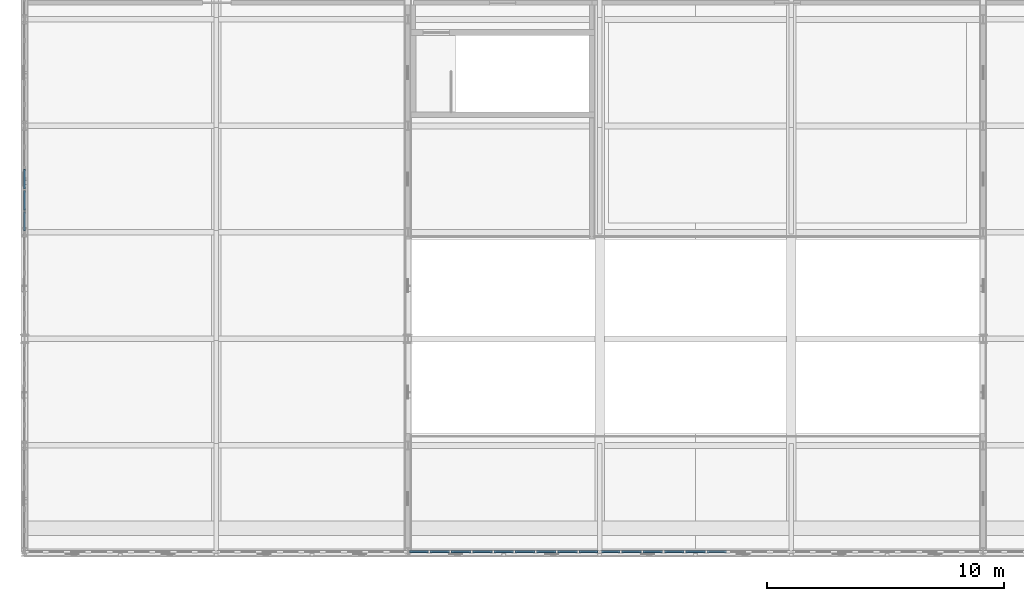
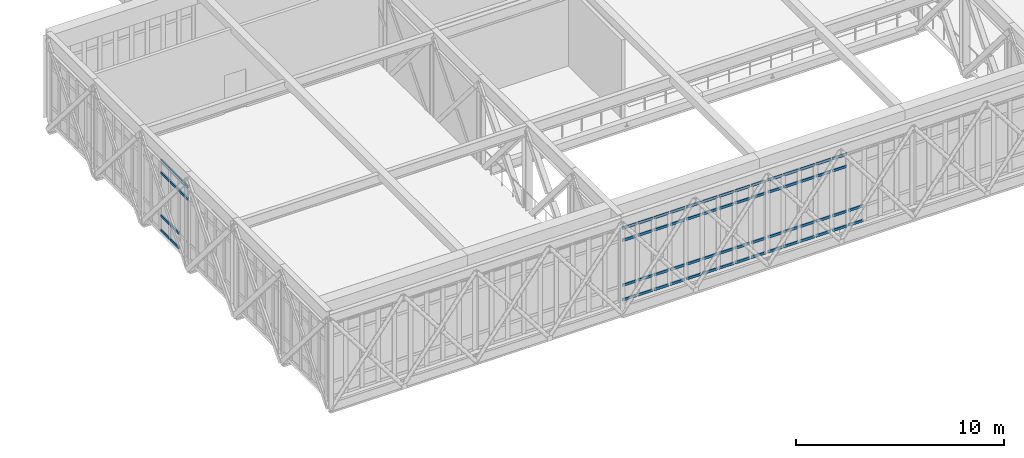
# One storey, part 29 of 70: 68 members, 3 elements without a shape of their own.
"""IFC4 building model written with IfcOpenShell, lengths in metres."""

import ifcopenshell
import ifcopenshell.guid

model = None  # the IFC model being written
_history = None  # IfcOwnerHistory: only IFC2X3 demands one
_inside = {}  # id of a spatial element -> (the spatial element, [elements in it])
_under = {}  # id of a project, library or spatial element -> (it, [spatial elements below it])
_declared = {}  # id of a project -> (the project, [libraries it declares])
_typed = {}  # id of a type object -> (the type object, [elements of that type])
_made_of = {}  # id of a material, layer set ... -> (it, [elements and type objects made of it])


def new_model(schema):
    """Start an empty IFC model of exactly this schema.

    Asked for "IFC4X3", IfcOpenShell would pick the latest addendum, in which some entities
    have other attributes; the version numbers below select the first issue.
    IFC2X3 requires an IfcOwnerHistory on every rooted entity: one is made here for all.
    """
    global model, _history
    if schema == "IFC4X3":
        model = ifcopenshell.file(schema_version=(4, 3, 0, 0))
    else:
        model = ifcopenshell.file(schema=schema)
    _inside.clear()
    _under.clear()
    _declared.clear()
    _typed.clear()
    _made_of.clear()
    _history = None
    if model.schema == "IFC2X3":
        org = make("IfcOrganization", Name="unknown")
        user = make(
            "IfcPersonAndOrganization",
            ThePerson=make("IfcPerson", FamilyName="unknown"),
            TheOrganization=org,
        )
        app = make(
            "IfcApplication",
            ApplicationDeveloper=org,
            Version="unknown",
            ApplicationFullName="unknown",
            ApplicationIdentifier="unknown",
        )
        _history = make(
            "IfcOwnerHistory",
            OwningUser=user,
            OwningApplication=app,
            ChangeAction="ADDED",
            CreationDate=0,
        )
    return model


def make(cls, **values):
    """One entity of the class cls with the attributes given. An attribute that is None is left unset."""
    return model.create_entity(
        cls, **{name: value for name, value in values.items() if value is not None}
    )


def rooted(cls, **values):
    """An entity with a GlobalId (a new one), such as an element, a storey or a relation."""
    return make(cls, GlobalId=ifcopenshell.guid.new(), OwnerHistory=_history, **values)


def si_unit(unit_type, name, prefix=None):
    """IfcSIUnit, for example si_unit("LENGTHUNIT", "METRE", prefix="MILLI")."""
    return make("IfcSIUnit", UnitType=unit_type, Prefix=prefix, Name=name)


def assignment(units):
    """IfcUnitAssignment: the units of a project."""
    return None if units is None else make("IfcUnitAssignment", Units=units)


def point(xyz):
    """IfcCartesianPoint."""
    return None if xyz is None else make("IfcCartesianPoint", Coordinates=xyz)


def direction(xyz):
    """IfcDirection."""
    return None if xyz is None else make("IfcDirection", DirectionRatios=xyz)


def frame(location, z_axis=None, x_axis=None):
    """IfcAxis2Placement3D, a coordinate frame: its origin and axes. An axis left out is left unset."""
    return make(
        "IfcAxis2Placement3D",
        Location=point(location),
        Axis=direction(z_axis),
        RefDirection=direction(x_axis),
    )


def frame_2d(location, x_axis=None):
    """IfcAxis2Placement2D, a coordinate frame in the plane: its origin and x axis."""
    return make(
        "IfcAxis2Placement2D", Location=point(location), RefDirection=direction(x_axis)
    )


def origin():
    """The frame at (0, 0, 0) with its axes left unset."""
    return frame((0.0, 0.0, 0.0))


def origin_2d():
    """The frame at (0, 0) in the plane with its x axis left unset."""
    return frame_2d((0.0, 0.0))


def place(relative_to, where):
    """IfcLocalPlacement: puts the frame where relative to a parent placement (None: the world)."""
    return make(
        "IfcLocalPlacement", PlacementRelTo=relative_to, RelativePlacement=where
    )


def context(
    kind, dimensions, precision=None, world=None, true_north=None, identifier=None
):
    """IfcGeometricRepresentationContext, for example the 3D "Model" context."""
    return make(
        "IfcGeometricRepresentationContext",
        ContextIdentifier=identifier,
        ContextType=kind,
        CoordinateSpaceDimension=dimensions,
        Precision=precision,
        WorldCoordinateSystem=world,
        TrueNorth=true_north,
    )


def subcontext(parent, identifier, kind, view, scale=None):
    """IfcGeometricRepresentationSubContext, for example "Body" below "Model"."""
    return make(
        "IfcGeometricRepresentationSubContext",
        ContextIdentifier=identifier,
        ContextType=kind,
        ParentContext=parent,
        TargetScale=scale,
        TargetView=view,
    )


def project(units=None, contexts=None):
    """IfcProject with its units and contexts."""
    return rooted(
        "IfcProject",
        Name="project",
        RepresentationContexts=contexts,
        UnitsInContext=assignment(units),
    )


def spatial(cls, under=None, at=None, **own):
    """A site, building, storey or space (cls), placed at a placement, below another one or the project."""
    s = rooted(cls, ObjectPlacement=at, **own)
    if under is not None:
        _under.setdefault(under.id(), (under, []))[1].append(s)
    return s


def profile(cls, at=None, kind="AREA", **sizes):
    """A parametric profile (cls). Its sizes go by their IFC names, for example OverallWidth=200.0."""
    return make(cls, ProfileType=kind, Position=at, **sizes)


def rectangle(**sizes):
    """IfcRectangleProfileDef."""
    return profile("IfcRectangleProfileDef", **sizes)


def extrude(swept, where, along, depth):
    """IfcExtrudedAreaSolid: the profile swept, set in the frame where, extruded along a direction by depth."""
    return make(
        "IfcExtrudedAreaSolid",
        SweptArea=swept,
        Position=where,
        ExtrudedDirection=direction(along),
        Depth=depth,
    )


def shape(context_of_items, identifier, shape_type, items):
    """IfcShapeRepresentation: the items that make up one representation, for example the "Body"."""
    return make(
        "IfcShapeRepresentation",
        ContextOfItems=context_of_items,
        RepresentationIdentifier=identifier,
        RepresentationType=shape_type,
        Items=items,
    )


def material(Name=None, Category=None):
    """IfcMaterial."""
    return make("IfcMaterial", Name=Name, Category=Category)


def material_profile(
    of_material, cross_section, Name=None, Category=None, Priority=None
):
    """IfcMaterialProfile: a cross section and its material."""
    return make(
        "IfcMaterialProfile",
        Name=Name,
        Material=of_material,
        Profile=cross_section,
        Priority=Priority,
        Category=Category,
    )


def profile_set(profiles, Name=None, composite=None):
    """IfcMaterialProfileSet."""
    return make(
        "IfcMaterialProfileSet",
        Name=Name,
        MaterialProfiles=profiles,
        CompositeProfile=composite,
    )


def made_of(thing, what):
    """Note that an element or type object is made of a material, layer set ...; save() writes the relation."""
    if what is not None:
        _made_of.setdefault(what.id(), (what, []))[1].append(thing)
    return thing


def type_object(cls, material=None, **own):
    """A type object (cls), such as IfcWallType, which elements share."""
    return made_of(rooted(cls, **own), material)


def element(
    cls,
    number,
    at=None,
    inside=None,
    cuts=None,
    type_object=None,
    material=None,
    context=None,
    identifier="Body",
    shape_type=None,
    held_by="IfcProductDefinitionShape",
    body=None,
    shapes=None,
    **own,
):
    """One element of the class cls, such as IfcWall. Its Tag is "e" and its number.

    at: its placement. inside: the storey or other place that contains it. cuts: it is an
    opening in that element (IfcRelVoidsElement). A single representation is given by context,
    identifier, shape_type and body (its items); several are given by shapes. held_by: the class
    of the entity that holds the representations. save() writes the other relations.
    """
    e = rooted(cls, Tag="e%d" % number, ObjectPlacement=at, **own)
    if body is not None:
        shapes = [shape(context, identifier, shape_type, body)]
    if shapes is not None:
        e.Representation = make(held_by, Representations=shapes)
    if inside is not None:
        _inside.setdefault(inside.id(), (inside, []))[1].append(e)
    if cuts is not None:
        rooted(
            "IfcRelVoidsElement", RelatingBuildingElement=cuts, RelatedOpeningElement=e
        )
    if type_object is not None:
        _typed.setdefault(type_object.id(), (type_object, []))[1].append(e)
    return made_of(e, material)


def aggregate(whole, parts):
    """IfcRelAggregates: a whole, such as a stair, and the parts it consists of."""
    return rooted("IfcRelAggregates", RelatingObject=whole, RelatedObjects=parts)


def save(model, path):
    """Write the relations noted so far, then the file.

    IfcRelAggregates (storeys below a building ...), IfcRelContainedInSpatialStructure (elements
    in a storey), IfcRelDefinesByType, IfcRelAssociatesMaterial and IfcRelDeclares: one each for
    every whole, place, type object, material and project.
    """
    for whole, parts in _under.values():
        aggregate(whole, parts)
    for where, things in _inside.values():
        rooted(
            "IfcRelContainedInSpatialStructure",
            RelatedElements=things,
            RelatingStructure=where,
        )
    for kind, things in _typed.values():
        rooted("IfcRelDefinesByType", RelatedObjects=things, RelatingType=kind)
    for what, things in _made_of.values():
        rooted("IfcRelAssociatesMaterial", RelatedObjects=things, RelatingMaterial=what)
    for by, libraries in _declared.values():
        rooted("IfcRelDeclares", RelatingContext=by, RelatedDefinitions=libraries)
    model.write(path)


model = new_model("IFC4")

# Units and contexts
model_context = context("Model", 3, precision=1e-05, world=origin(), true_north=direction((0.0, 1.0)))
body_context = subcontext(model_context, "Body", "Model", "MODEL_VIEW")
ifc_project = project(units=[si_unit("LENGTHUNIT", "METRE"), si_unit("AREAUNIT", "SQUARE_METRE"), si_unit("VOLUMEUNIT", "CUBIC_METRE"), si_unit("PLANEANGLEUNIT", "RADIAN"), si_unit("MASSUNIT", "GRAM", prefix="KILO")], contexts=[model_context])

# Site, building, storey
site_placement = place(None, origin())
site = spatial("IfcSite", under=ifc_project, at=site_placement, CompositionType="ELEMENT")
building_placement = place(site_placement, origin())
building = spatial("IfcBuilding", under=site, at=building_placement, Name="Tarnveldt Square Police Headquarters", CompositionType="ELEMENT")
storey_placement = place(building_placement, frame((0.0, 0.0, 19.800048828125)))
storey = spatial("IfcBuildingStorey", under=building, at=storey_placement, Name="L04", CompositionType="ELEMENT", Elevation=19.800048828125)

# Curtain wall, members
ifc_material_1 = material(Name="UL 752 Level III laminated ballistic vision glass", Category="glass")
curtain_wall_type_1 = type_object("IfcCurtainWallType", Name="CW-BL-810x429", PredefinedType="USERDEFINED", material=ifc_material_1)
curtain_wall_1_placement = place(storey_placement, origin())
curtain_wall_1 = element("IfcCurtainWall", 1, at=curtain_wall_1_placement, inside=storey, type_object=curtain_wall_type_1, Name="L04 Curtain Wall CW-L04-042", ObjectType="BALLISTIC CURTAIN WALL", PredefinedType="USERDEFINED")
ifc_material_2 = material(Name="Thermally broken anodised aluminium 6063-T6", Category="aluminium")
ifc_material_profile = material_profile(ifc_material_2, rectangle(XDim=0.074951171875, YDim=0.14990234375, at=origin_2d()), Name="CW-T75x150")
ifc_profile_set = profile_set([ifc_material_profile], Name="Thermally broken anodised aluminium 6063-T6")
member_type = type_object("IfcMemberType", Name="CWT-75x150", PredefinedType="USERDEFINED", material=ifc_profile_set)
member_1_placement = place(storey_placement, frame((24.385009765625, 7.0, 0.037353515625), z_axis=(1.0, 0.0, 0.0), x_axis=(0.0, 1.0, 0.0)))
member_1 = element("IfcMember", 2, at=member_1_placement, type_object=member_type, Name="CW-BL18 transom 1.1", ObjectType="TRANSOM", PredefinedType="USERDEFINED", context=body_context, shape_type="SweptSolid", body=[
    extrude(rectangle(XDim=0.074951171875, YDim=0.14990234375, at=origin_2d()), origin(), (0.0, 0.0, 1.0), 0.7724609375),
])
member_2_placement = place(storey_placement, frame((24.385009765625, 7.0, 0.89990234375), z_axis=(1.0, 0.0, 0.0), x_axis=(0.0, 1.0, 0.0)))
member_2 = element("IfcMember", 3, at=member_2_placement, type_object=member_type, Name="CW-BL18 transom 1.2", ObjectType="TRANSOM", PredefinedType="USERDEFINED", context=body_context, shape_type="SweptSolid", body=[
    extrude(rectangle(XDim=0.074951171875, YDim=0.14990234375, at=origin_2d()), origin(), (0.0, 0.0, 1.0), 0.7724609375),
])
member_3_placement = place(storey_placement, frame((24.385009765625, 7.0, 3.538330078125), z_axis=(1.0, 0.0, 0.0), x_axis=(0.0, 1.0, 0.0)))
member_3 = element("IfcMember", 4, at=member_3_placement, type_object=member_type, Name="CW-BL18 transom 1.3", ObjectType="TRANSOM", PredefinedType="USERDEFINED", context=body_context, shape_type="SweptSolid", body=[
    extrude(rectangle(XDim=0.074951171875, YDim=0.14990234375, at=origin_2d()), origin(), (0.0, 0.0, 1.0), 0.7724609375),
])
member_4_placement = place(storey_placement, frame((24.385009765625, 7.0, 4.2509765625), z_axis=(1.0, 0.0, 0.0), x_axis=(0.0, 1.0, 0.0)))
member_4 = element("IfcMember", 5, at=member_4_placement, type_object=member_type, Name="CW-BL18 transom 1.4", ObjectType="TRANSOM", PredefinedType="USERDEFINED", context=body_context, shape_type="SweptSolid", body=[
    extrude(rectangle(XDim=0.074951171875, YDim=0.14990234375, at=origin_2d()), origin(), (0.0, 0.0, 1.0), 0.7724609375),
])
member_5_placement = place(storey_placement, frame((25.242431640625, 7.0, 0.037353515625), z_axis=(1.0, 0.0, 0.0), x_axis=(0.0, 1.0, 0.0)))
member_5 = element("IfcMember", 6, at=member_5_placement, type_object=member_type, Name="CW-BL18 transom 2.1", ObjectType="TRANSOM", PredefinedType="USERDEFINED", context=body_context, shape_type="SweptSolid", body=[
    extrude(rectangle(XDim=0.074951171875, YDim=0.14990234375, at=origin_2d()), origin(), (0.0, 0.0, 1.0), 0.815185546875),
])
member_6_placement = place(storey_placement, frame((25.242431640625, 7.0, 0.89990234375), z_axis=(1.0, 0.0, 0.0), x_axis=(0.0, 1.0, 0.0)))
member_6 = element("IfcMember", 7, at=member_6_placement, type_object=member_type, Name="CW-BL18 transom 2.2", ObjectType="TRANSOM", PredefinedType="USERDEFINED", context=body_context, shape_type="SweptSolid", body=[
    extrude(rectangle(XDim=0.074951171875, YDim=0.14990234375, at=origin_2d()), origin(), (0.0, 0.0, 1.0), 0.815185546875),
])
member_7_placement = place(storey_placement, frame((25.242431640625, 7.0, 3.538330078125), z_axis=(1.0, 0.0, 0.0), x_axis=(0.0, 1.0, 0.0)))
member_7 = element("IfcMember", 8, at=member_7_placement, type_object=member_type, Name="CW-BL18 transom 2.3", ObjectType="TRANSOM", PredefinedType="USERDEFINED", context=body_context, shape_type="SweptSolid", body=[
    extrude(rectangle(XDim=0.074951171875, YDim=0.14990234375, at=origin_2d()), origin(), (0.0, 0.0, 1.0), 0.815185546875),
])
member_8_placement = place(storey_placement, frame((25.242431640625, 7.0, 4.2509765625), z_axis=(1.0, 0.0, 0.0), x_axis=(0.0, 1.0, 0.0)))
member_8 = element("IfcMember", 9, at=member_8_placement, type_object=member_type, Name="CW-BL18 transom 2.4", ObjectType="TRANSOM", PredefinedType="USERDEFINED", context=body_context, shape_type="SweptSolid", body=[
    extrude(rectangle(XDim=0.074951171875, YDim=0.14990234375, at=origin_2d()), origin(), (0.0, 0.0, 1.0), 0.815185546875),
])
member_9_placement = place(storey_placement, frame((26.142578125, 7.0, 0.037353515625), z_axis=(1.0, 0.0, 0.0), x_axis=(0.0, 1.0, 0.0)))
member_9 = element("IfcMember", 10, at=member_9_placement, type_object=member_type, Name="CW-BL18 transom 3.1", ObjectType="TRANSOM", PredefinedType="USERDEFINED", context=body_context, shape_type="SweptSolid", body=[
    extrude(rectangle(XDim=0.074951171875, YDim=0.14990234375, at=origin_2d()), origin(), (0.0, 0.0, 1.0), 0.81494140625),
])
member_10_placement = place(storey_placement, frame((26.142578125, 7.0, 0.89990234375), z_axis=(1.0, 0.0, 0.0), x_axis=(0.0, 1.0, 0.0)))
member_10 = element("IfcMember", 11, at=member_10_placement, type_object=member_type, Name="CW-BL18 transom 3.2", ObjectType="TRANSOM", PredefinedType="USERDEFINED", context=body_context, shape_type="SweptSolid", body=[
    extrude(rectangle(XDim=0.074951171875, YDim=0.14990234375, at=origin_2d()), origin(), (0.0, 0.0, 1.0), 0.81494140625),
])
member_11_placement = place(storey_placement, frame((26.142578125, 7.0, 3.538330078125), z_axis=(1.0, 0.0, 0.0), x_axis=(0.0, 1.0, 0.0)))
member_11 = element("IfcMember", 12, at=member_11_placement, type_object=member_type, Name="CW-BL18 transom 3.3", ObjectType="TRANSOM", PredefinedType="USERDEFINED", context=body_context, shape_type="SweptSolid", body=[
    extrude(rectangle(XDim=0.074951171875, YDim=0.14990234375, at=origin_2d()), origin(), (0.0, 0.0, 1.0), 0.81494140625),
])
member_12_placement = place(storey_placement, frame((26.142578125, 7.0, 4.2509765625), z_axis=(1.0, 0.0, 0.0), x_axis=(0.0, 1.0, 0.0)))
member_12 = element("IfcMember", 13, at=member_12_placement, type_object=member_type, Name="CW-BL18 transom 3.4", ObjectType="TRANSOM", PredefinedType="USERDEFINED", context=body_context, shape_type="SweptSolid", body=[
    extrude(rectangle(XDim=0.074951171875, YDim=0.14990234375, at=origin_2d()), origin(), (0.0, 0.0, 1.0), 0.81494140625),
])
member_13_placement = place(storey_placement, frame((27.04248046875, 7.0, 0.037353515625), z_axis=(1.0, 0.0, 0.0), x_axis=(0.0, 1.0, 0.0)))
member_13 = element("IfcMember", 14, at=member_13_placement, type_object=member_type, Name="CW-BL18 transom 4.1", ObjectType="TRANSOM", PredefinedType="USERDEFINED", context=body_context, shape_type="SweptSolid", body=[
    extrude(rectangle(XDim=0.074951171875, YDim=0.14990234375, at=origin_2d()), origin(), (0.0, 0.0, 1.0), 0.81494140625),
])
member_14_placement = place(storey_placement, frame((27.04248046875, 7.0, 0.89990234375), z_axis=(1.0, 0.0, 0.0), x_axis=(0.0, 1.0, 0.0)))
member_14 = element("IfcMember", 15, at=member_14_placement, type_object=member_type, Name="CW-BL18 transom 4.2", ObjectType="TRANSOM", PredefinedType="USERDEFINED", context=body_context, shape_type="SweptSolid", body=[
    extrude(rectangle(XDim=0.074951171875, YDim=0.14990234375, at=origin_2d()), origin(), (0.0, 0.0, 1.0), 0.81494140625),
])
member_15_placement = place(storey_placement, frame((27.04248046875, 7.0, 3.538330078125), z_axis=(1.0, 0.0, 0.0), x_axis=(0.0, 1.0, 0.0)))
member_15 = element("IfcMember", 16, at=member_15_placement, type_object=member_type, Name="CW-BL18 transom 4.3", ObjectType="TRANSOM", PredefinedType="USERDEFINED", context=body_context, shape_type="SweptSolid", body=[
    extrude(rectangle(XDim=0.074951171875, YDim=0.14990234375, at=origin_2d()), origin(), (0.0, 0.0, 1.0), 0.81494140625),
])
member_16_placement = place(storey_placement, frame((27.04248046875, 7.0, 4.2509765625), z_axis=(1.0, 0.0, 0.0), x_axis=(0.0, 1.0, 0.0)))
member_16 = element("IfcMember", 17, at=member_16_placement, type_object=member_type, Name="CW-BL18 transom 4.4", ObjectType="TRANSOM", PredefinedType="USERDEFINED", context=body_context, shape_type="SweptSolid", body=[
    extrude(rectangle(XDim=0.074951171875, YDim=0.14990234375, at=origin_2d()), origin(), (0.0, 0.0, 1.0), 0.81494140625),
])
member_17_placement = place(storey_placement, frame((27.9423828125, 7.0, 0.037353515625), z_axis=(1.0, 0.0, 0.0), x_axis=(0.0, 1.0, 0.0)))
member_17 = element("IfcMember", 18, at=member_17_placement, type_object=member_type, Name="CW-BL18 transom 5.1", ObjectType="TRANSOM", PredefinedType="USERDEFINED", context=body_context, shape_type="SweptSolid", body=[
    extrude(rectangle(XDim=0.074951171875, YDim=0.14990234375, at=origin_2d()), origin(), (0.0, 0.0, 1.0), 0.815185546875),
])
member_18_placement = place(storey_placement, frame((27.9423828125, 7.0, 0.89990234375), z_axis=(1.0, 0.0, 0.0), x_axis=(0.0, 1.0, 0.0)))
member_18 = element("IfcMember", 19, at=member_18_placement, type_object=member_type, Name="CW-BL18 transom 5.2", ObjectType="TRANSOM", PredefinedType="USERDEFINED", context=body_context, shape_type="SweptSolid", body=[
    extrude(rectangle(XDim=0.074951171875, YDim=0.14990234375, at=origin_2d()), origin(), (0.0, 0.0, 1.0), 0.815185546875),
])
member_19_placement = place(storey_placement, frame((27.9423828125, 7.0, 3.538330078125), z_axis=(1.0, 0.0, 0.0), x_axis=(0.0, 1.0, 0.0)))
member_19 = element("IfcMember", 20, at=member_19_placement, type_object=member_type, Name="CW-BL18 transom 5.3", ObjectType="TRANSOM", PredefinedType="USERDEFINED", context=body_context, shape_type="SweptSolid", body=[
    extrude(rectangle(XDim=0.074951171875, YDim=0.14990234375, at=origin_2d()), origin(), (0.0, 0.0, 1.0), 0.815185546875),
])
member_20_placement = place(storey_placement, frame((27.9423828125, 7.0, 4.2509765625), z_axis=(1.0, 0.0, 0.0), x_axis=(0.0, 1.0, 0.0)))
member_20 = element("IfcMember", 21, at=member_20_placement, type_object=member_type, Name="CW-BL18 transom 5.4", ObjectType="TRANSOM", PredefinedType="USERDEFINED", context=body_context, shape_type="SweptSolid", body=[
    extrude(rectangle(XDim=0.074951171875, YDim=0.14990234375, at=origin_2d()), origin(), (0.0, 0.0, 1.0), 0.815185546875),
])
member_21_placement = place(storey_placement, frame((28.842529296875, 7.0, 0.037353515625), z_axis=(1.0, 0.0, 0.0), x_axis=(0.0, 1.0, 0.0)))
member_21 = element("IfcMember", 22, at=member_21_placement, type_object=member_type, Name="CW-BL18 transom 6.1", ObjectType="TRANSOM", PredefinedType="USERDEFINED", context=body_context, shape_type="SweptSolid", body=[
    extrude(rectangle(XDim=0.074951171875, YDim=0.14990234375, at=origin_2d()), origin(), (0.0, 0.0, 1.0), 0.81494140625),
])
member_22_placement = place(storey_placement, frame((28.842529296875, 7.0, 0.89990234375), z_axis=(1.0, 0.0, 0.0), x_axis=(0.0, 1.0, 0.0)))
member_22 = element("IfcMember", 23, at=member_22_placement, type_object=member_type, Name="CW-BL18 transom 6.2", ObjectType="TRANSOM", PredefinedType="USERDEFINED", context=body_context, shape_type="SweptSolid", body=[
    extrude(rectangle(XDim=0.074951171875, YDim=0.14990234375, at=origin_2d()), origin(), (0.0, 0.0, 1.0), 0.81494140625),
])
member_23_placement = place(storey_placement, frame((28.842529296875, 7.0, 3.538330078125), z_axis=(1.0, 0.0, 0.0), x_axis=(0.0, 1.0, 0.0)))
member_23 = element("IfcMember", 24, at=member_23_placement, type_object=member_type, Name="CW-BL18 transom 6.3", ObjectType="TRANSOM", PredefinedType="USERDEFINED", context=body_context, shape_type="SweptSolid", body=[
    extrude(rectangle(XDim=0.074951171875, YDim=0.14990234375, at=origin_2d()), origin(), (0.0, 0.0, 1.0), 0.81494140625),
])
member_24_placement = place(storey_placement, frame((28.842529296875, 7.0, 4.2509765625), z_axis=(1.0, 0.0, 0.0), x_axis=(0.0, 1.0, 0.0)))
member_24 = element("IfcMember", 25, at=member_24_placement, type_object=member_type, Name="CW-BL18 transom 6.4", ObjectType="TRANSOM", PredefinedType="USERDEFINED", context=body_context, shape_type="SweptSolid", body=[
    extrude(rectangle(XDim=0.074951171875, YDim=0.14990234375, at=origin_2d()), origin(), (0.0, 0.0, 1.0), 0.81494140625),
])
member_25_placement = place(storey_placement, frame((29.742431640625, 7.0, 0.037353515625), z_axis=(1.0, 0.0, 0.0), x_axis=(0.0, 1.0, 0.0)))
member_25 = element("IfcMember", 26, at=member_25_placement, type_object=member_type, Name="CW-BL18 transom 7.1", ObjectType="TRANSOM", PredefinedType="USERDEFINED", context=body_context, shape_type="SweptSolid", body=[
    extrude(rectangle(XDim=0.074951171875, YDim=0.14990234375, at=origin_2d()), origin(), (0.0, 0.0, 1.0), 0.815185546875),
])
member_26_placement = place(storey_placement, frame((29.742431640625, 7.0, 0.89990234375), z_axis=(1.0, 0.0, 0.0), x_axis=(0.0, 1.0, 0.0)))
member_26 = element("IfcMember", 27, at=member_26_placement, type_object=member_type, Name="CW-BL18 transom 7.2", ObjectType="TRANSOM", PredefinedType="USERDEFINED", context=body_context, shape_type="SweptSolid", body=[
    extrude(rectangle(XDim=0.074951171875, YDim=0.14990234375, at=origin_2d()), origin(), (0.0, 0.0, 1.0), 0.815185546875),
])
member_27_placement = place(storey_placement, frame((29.742431640625, 7.0, 3.538330078125), z_axis=(1.0, 0.0, 0.0), x_axis=(0.0, 1.0, 0.0)))
member_27 = element("IfcMember", 28, at=member_27_placement, type_object=member_type, Name="CW-BL18 transom 7.3", ObjectType="TRANSOM", PredefinedType="USERDEFINED", context=body_context, shape_type="SweptSolid", body=[
    extrude(rectangle(XDim=0.074951171875, YDim=0.14990234375, at=origin_2d()), origin(), (0.0, 0.0, 1.0), 0.815185546875),
])
member_28_placement = place(storey_placement, frame((29.742431640625, 7.0, 4.2509765625), z_axis=(1.0, 0.0, 0.0), x_axis=(0.0, 1.0, 0.0)))
member_28 = element("IfcMember", 29, at=member_28_placement, type_object=member_type, Name="CW-BL18 transom 7.4", ObjectType="TRANSOM", PredefinedType="USERDEFINED", context=body_context, shape_type="SweptSolid", body=[
    extrude(rectangle(XDim=0.074951171875, YDim=0.14990234375, at=origin_2d()), origin(), (0.0, 0.0, 1.0), 0.815185546875),
])
member_29_placement = place(storey_placement, frame((30.642578125, 7.0, 0.037353515625), z_axis=(1.0, 0.0, 0.0), x_axis=(0.0, 1.0, 0.0)))
member_29 = element("IfcMember", 30, at=member_29_placement, type_object=member_type, Name="CW-BL18 transom 8.1", ObjectType="TRANSOM", PredefinedType="USERDEFINED", context=body_context, shape_type="SweptSolid", body=[
    extrude(rectangle(XDim=0.074951171875, YDim=0.14990234375, at=origin_2d()), origin(), (0.0, 0.0, 1.0), 0.81494140625),
])
member_30_placement = place(storey_placement, frame((30.642578125, 7.0, 0.89990234375), z_axis=(1.0, 0.0, 0.0), x_axis=(0.0, 1.0, 0.0)))
member_30 = element("IfcMember", 31, at=member_30_placement, type_object=member_type, Name="CW-BL18 transom 8.2", ObjectType="TRANSOM", PredefinedType="USERDEFINED", context=body_context, shape_type="SweptSolid", body=[
    extrude(rectangle(XDim=0.074951171875, YDim=0.14990234375, at=origin_2d()), origin(), (0.0, 0.0, 1.0), 0.81494140625),
])
member_31_placement = place(storey_placement, frame((30.642578125, 7.0, 3.538330078125), z_axis=(1.0, 0.0, 0.0), x_axis=(0.0, 1.0, 0.0)))
member_31 = element("IfcMember", 32, at=member_31_placement, type_object=member_type, Name="CW-BL18 transom 8.3", ObjectType="TRANSOM", PredefinedType="USERDEFINED", context=body_context, shape_type="SweptSolid", body=[
    extrude(rectangle(XDim=0.074951171875, YDim=0.14990234375, at=origin_2d()), origin(), (0.0, 0.0, 1.0), 0.81494140625),
])
member_32_placement = place(storey_placement, frame((30.642578125, 7.0, 4.2509765625), z_axis=(1.0, 0.0, 0.0), x_axis=(0.0, 1.0, 0.0)))
member_32 = element("IfcMember", 33, at=member_32_placement, type_object=member_type, Name="CW-BL18 transom 8.4", ObjectType="TRANSOM", PredefinedType="USERDEFINED", context=body_context, shape_type="SweptSolid", body=[
    extrude(rectangle(XDim=0.074951171875, YDim=0.14990234375, at=origin_2d()), origin(), (0.0, 0.0, 1.0), 0.81494140625),
])
member_33_placement = place(storey_placement, frame((31.54248046875, 7.0, 0.037353515625), z_axis=(1.0, 0.0, 0.0), x_axis=(0.0, 1.0, 0.0)))
member_33 = element("IfcMember", 34, at=member_33_placement, type_object=member_type, Name="CW-BL18 transom 9.1", ObjectType="TRANSOM", PredefinedType="USERDEFINED", context=body_context, shape_type="SweptSolid", body=[
    extrude(rectangle(XDim=0.074951171875, YDim=0.14990234375, at=origin_2d()), origin(), (0.0, 0.0, 1.0), 0.7724609375),
])
member_34_placement = place(storey_placement, frame((31.54248046875, 7.0, 0.89990234375), z_axis=(1.0, 0.0, 0.0), x_axis=(0.0, 1.0, 0.0)))
member_34 = element("IfcMember", 35, at=member_34_placement, type_object=member_type, Name="CW-BL18 transom 9.2", ObjectType="TRANSOM", PredefinedType="USERDEFINED", context=body_context, shape_type="SweptSolid", body=[
    extrude(rectangle(XDim=0.074951171875, YDim=0.14990234375, at=origin_2d()), origin(), (0.0, 0.0, 1.0), 0.7724609375),
])
member_35_placement = place(storey_placement, frame((31.54248046875, 7.0, 3.538330078125), z_axis=(1.0, 0.0, 0.0), x_axis=(0.0, 1.0, 0.0)))
member_35 = element("IfcMember", 36, at=member_35_placement, type_object=member_type, Name="CW-BL18 transom 9.3", ObjectType="TRANSOM", PredefinedType="USERDEFINED", context=body_context, shape_type="SweptSolid", body=[
    extrude(rectangle(XDim=0.074951171875, YDim=0.14990234375, at=origin_2d()), origin(), (0.0, 0.0, 1.0), 0.7724609375),
])
member_36_placement = place(storey_placement, frame((31.54248046875, 7.0, 4.2509765625), z_axis=(1.0, 0.0, 0.0), x_axis=(0.0, 1.0, 0.0)))
member_36 = element("IfcMember", 37, at=member_36_placement, type_object=member_type, Name="CW-BL18 transom 9.4", ObjectType="TRANSOM", PredefinedType="USERDEFINED", context=body_context, shape_type="SweptSolid", body=[
    extrude(rectangle(XDim=0.074951171875, YDim=0.14990234375, at=origin_2d()), origin(), (0.0, 0.0, 1.0), 0.7724609375),
])
aggregate(curtain_wall_1, [member_1, member_2, member_3, member_4, member_5, member_6, member_7, member_8, member_9, member_10, member_11, member_12, member_13, member_14, member_15, member_16, member_17, member_18, member_19, member_20, member_21, member_22, member_23, member_24, member_25, member_26, member_27, member_28, member_29, member_30, member_31, member_32, member_33, member_34, member_35, member_36])

curtain_wall_2_placement = place(storey_placement, origin())
curtain_wall_2 = element("IfcCurtainWall", 38, at=curtain_wall_2_placement, inside=storey, type_object=curtain_wall_type_1, Name="L04 Curtain Wall CW-L04-043", ObjectType="BALLISTIC CURTAIN WALL", PredefinedType="USERDEFINED")
member_37_placement = place(storey_placement, frame((32.485107421875, 7.0, 0.037353515625), z_axis=(1.0, 0.0, 0.0), x_axis=(0.0, 1.0, 0.0)))
member_37 = element("IfcMember", 39, at=member_37_placement, type_object=member_type, Name="CW-BL18 transom 1.1", ObjectType="TRANSOM", PredefinedType="USERDEFINED", context=body_context, shape_type="SweptSolid", body=[
    extrude(rectangle(XDim=0.074951171875, YDim=0.14990234375, at=origin_2d()), origin(), (0.0, 0.0, 1.0), 0.7724609375),
])
member_38_placement = place(storey_placement, frame((32.485107421875, 7.0, 0.89990234375), z_axis=(1.0, 0.0, 0.0), x_axis=(0.0, 1.0, 0.0)))
member_38 = element("IfcMember", 40, at=member_38_placement, type_object=member_type, Name="CW-BL18 transom 1.2", ObjectType="TRANSOM", PredefinedType="USERDEFINED", context=body_context, shape_type="SweptSolid", body=[
    extrude(rectangle(XDim=0.074951171875, YDim=0.14990234375, at=origin_2d()), origin(), (0.0, 0.0, 1.0), 0.7724609375),
])
member_39_placement = place(storey_placement, frame((32.485107421875, 7.0, 3.538330078125), z_axis=(1.0, 0.0, 0.0), x_axis=(0.0, 1.0, 0.0)))
member_39 = element("IfcMember", 41, at=member_39_placement, type_object=member_type, Name="CW-BL18 transom 1.3", ObjectType="TRANSOM", PredefinedType="USERDEFINED", context=body_context, shape_type="SweptSolid", body=[
    extrude(rectangle(XDim=0.074951171875, YDim=0.14990234375, at=origin_2d()), origin(), (0.0, 0.0, 1.0), 0.7724609375),
])
member_40_placement = place(storey_placement, frame((32.485107421875, 7.0, 4.2509765625), z_axis=(1.0, 0.0, 0.0), x_axis=(0.0, 1.0, 0.0)))
member_40 = element("IfcMember", 42, at=member_40_placement, type_object=member_type, Name="CW-BL18 transom 1.4", ObjectType="TRANSOM", PredefinedType="USERDEFINED", context=body_context, shape_type="SweptSolid", body=[
    extrude(rectangle(XDim=0.074951171875, YDim=0.14990234375, at=origin_2d()), origin(), (0.0, 0.0, 1.0), 0.7724609375),
])
member_41_placement = place(storey_placement, frame((33.342529296875, 7.0, 0.037353515625), z_axis=(1.0, 0.0, 0.0), x_axis=(0.0, 1.0, 0.0)))
member_41 = element("IfcMember", 43, at=member_41_placement, type_object=member_type, Name="CW-BL18 transom 2.1", ObjectType="TRANSOM", PredefinedType="USERDEFINED", context=body_context, shape_type="SweptSolid", body=[
    extrude(rectangle(XDim=0.074951171875, YDim=0.14990234375, at=origin_2d()), origin(), (0.0, 0.0, 1.0), 0.81494140625),
])
member_42_placement = place(storey_placement, frame((33.342529296875, 7.0, 0.89990234375), z_axis=(1.0, 0.0, 0.0), x_axis=(0.0, 1.0, 0.0)))
member_42 = element("IfcMember", 44, at=member_42_placement, type_object=member_type, Name="CW-BL18 transom 2.2", ObjectType="TRANSOM", PredefinedType="USERDEFINED", context=body_context, shape_type="SweptSolid", body=[
    extrude(rectangle(XDim=0.074951171875, YDim=0.14990234375, at=origin_2d()), origin(), (0.0, 0.0, 1.0), 0.81494140625),
])
member_43_placement = place(storey_placement, frame((33.342529296875, 7.0, 3.538330078125), z_axis=(1.0, 0.0, 0.0), x_axis=(0.0, 1.0, 0.0)))
member_43 = element("IfcMember", 45, at=member_43_placement, type_object=member_type, Name="CW-BL18 transom 2.3", ObjectType="TRANSOM", PredefinedType="USERDEFINED", context=body_context, shape_type="SweptSolid", body=[
    extrude(rectangle(XDim=0.074951171875, YDim=0.14990234375, at=origin_2d()), origin(), (0.0, 0.0, 1.0), 0.81494140625),
])
member_44_placement = place(storey_placement, frame((33.342529296875, 7.0, 4.2509765625), z_axis=(1.0, 0.0, 0.0), x_axis=(0.0, 1.0, 0.0)))
member_44 = element("IfcMember", 46, at=member_44_placement, type_object=member_type, Name="CW-BL18 transom 2.4", ObjectType="TRANSOM", PredefinedType="USERDEFINED", context=body_context, shape_type="SweptSolid", body=[
    extrude(rectangle(XDim=0.074951171875, YDim=0.14990234375, at=origin_2d()), origin(), (0.0, 0.0, 1.0), 0.81494140625),
])
member_45_placement = place(storey_placement, frame((34.242431640625, 7.0, 0.037353515625), z_axis=(1.0, 0.0, 0.0), x_axis=(0.0, 1.0, 0.0)))
member_45 = element("IfcMember", 47, at=member_45_placement, type_object=member_type, Name="CW-BL18 transom 3.1", ObjectType="TRANSOM", PredefinedType="USERDEFINED", context=body_context, shape_type="SweptSolid", body=[
    extrude(rectangle(XDim=0.074951171875, YDim=0.14990234375, at=origin_2d()), origin(), (0.0, 0.0, 1.0), 0.815185546875),
])
member_46_placement = place(storey_placement, frame((34.242431640625, 7.0, 0.89990234375), z_axis=(1.0, 0.0, 0.0), x_axis=(0.0, 1.0, 0.0)))
member_46 = element("IfcMember", 48, at=member_46_placement, type_object=member_type, Name="CW-BL18 transom 3.2", ObjectType="TRANSOM", PredefinedType="USERDEFINED", context=body_context, shape_type="SweptSolid", body=[
    extrude(rectangle(XDim=0.074951171875, YDim=0.14990234375, at=origin_2d()), origin(), (0.0, 0.0, 1.0), 0.815185546875),
])
member_47_placement = place(storey_placement, frame((34.242431640625, 7.0, 3.538330078125), z_axis=(1.0, 0.0, 0.0), x_axis=(0.0, 1.0, 0.0)))
member_47 = element("IfcMember", 49, at=member_47_placement, type_object=member_type, Name="CW-BL18 transom 3.3", ObjectType="TRANSOM", PredefinedType="USERDEFINED", context=body_context, shape_type="SweptSolid", body=[
    extrude(rectangle(XDim=0.074951171875, YDim=0.14990234375, at=origin_2d()), origin(), (0.0, 0.0, 1.0), 0.815185546875),
])
member_48_placement = place(storey_placement, frame((34.242431640625, 7.0, 4.2509765625), z_axis=(1.0, 0.0, 0.0), x_axis=(0.0, 1.0, 0.0)))
member_48 = element("IfcMember", 50, at=member_48_placement, type_object=member_type, Name="CW-BL18 transom 3.4", ObjectType="TRANSOM", PredefinedType="USERDEFINED", context=body_context, shape_type="SweptSolid", body=[
    extrude(rectangle(XDim=0.074951171875, YDim=0.14990234375, at=origin_2d()), origin(), (0.0, 0.0, 1.0), 0.815185546875),
])
member_49_placement = place(storey_placement, frame((35.142578125, 7.0, 0.037353515625), z_axis=(1.0, 0.0, 0.0), x_axis=(0.0, 1.0, 0.0)))
member_49 = element("IfcMember", 51, at=member_49_placement, type_object=member_type, Name="CW-BL18 transom 4.1", ObjectType="TRANSOM", PredefinedType="USERDEFINED", context=body_context, shape_type="SweptSolid", body=[
    extrude(rectangle(XDim=0.074951171875, YDim=0.14990234375, at=origin_2d()), origin(), (0.0, 0.0, 1.0), 0.81494140625),
])
member_50_placement = place(storey_placement, frame((35.142578125, 7.0, 0.89990234375), z_axis=(1.0, 0.0, 0.0), x_axis=(0.0, 1.0, 0.0)))
member_50 = element("IfcMember", 52, at=member_50_placement, type_object=member_type, Name="CW-BL18 transom 4.2", ObjectType="TRANSOM", PredefinedType="USERDEFINED", context=body_context, shape_type="SweptSolid", body=[
    extrude(rectangle(XDim=0.074951171875, YDim=0.14990234375, at=origin_2d()), origin(), (0.0, 0.0, 1.0), 0.81494140625),
])
member_51_placement = place(storey_placement, frame((35.142578125, 7.0, 3.538330078125), z_axis=(1.0, 0.0, 0.0), x_axis=(0.0, 1.0, 0.0)))
member_51 = element("IfcMember", 53, at=member_51_placement, type_object=member_type, Name="CW-BL18 transom 4.3", ObjectType="TRANSOM", PredefinedType="USERDEFINED", context=body_context, shape_type="SweptSolid", body=[
    extrude(rectangle(XDim=0.074951171875, YDim=0.14990234375, at=origin_2d()), origin(), (0.0, 0.0, 1.0), 0.81494140625),
])
member_52_placement = place(storey_placement, frame((35.142578125, 7.0, 4.2509765625), z_axis=(1.0, 0.0, 0.0), x_axis=(0.0, 1.0, 0.0)))
member_52 = element("IfcMember", 54, at=member_52_placement, type_object=member_type, Name="CW-BL18 transom 4.4", ObjectType="TRANSOM", PredefinedType="USERDEFINED", context=body_context, shape_type="SweptSolid", body=[
    extrude(rectangle(XDim=0.074951171875, YDim=0.14990234375, at=origin_2d()), origin(), (0.0, 0.0, 1.0), 0.81494140625),
])
member_53_placement = place(storey_placement, frame((36.04248046875, 7.0, 0.037353515625), z_axis=(1.0, 0.0, 0.0), x_axis=(0.0, 1.0, 0.0)))
member_53 = element("IfcMember", 55, at=member_53_placement, type_object=member_type, Name="CW-BL18 transom 5.1", ObjectType="TRANSOM", PredefinedType="USERDEFINED", context=body_context, shape_type="SweptSolid", body=[
    extrude(rectangle(XDim=0.074951171875, YDim=0.14990234375, at=origin_2d()), origin(), (0.0, 0.0, 1.0), 0.81494140625),
])
member_54_placement = place(storey_placement, frame((36.04248046875, 7.0, 0.89990234375), z_axis=(1.0, 0.0, 0.0), x_axis=(0.0, 1.0, 0.0)))
member_54 = element("IfcMember", 56, at=member_54_placement, type_object=member_type, Name="CW-BL18 transom 5.2", ObjectType="TRANSOM", PredefinedType="USERDEFINED", context=body_context, shape_type="SweptSolid", body=[
    extrude(rectangle(XDim=0.074951171875, YDim=0.14990234375, at=origin_2d()), origin(), (0.0, 0.0, 1.0), 0.81494140625),
])
member_55_placement = place(storey_placement, frame((36.04248046875, 7.0, 3.538330078125), z_axis=(1.0, 0.0, 0.0), x_axis=(0.0, 1.0, 0.0)))
member_55 = element("IfcMember", 57, at=member_55_placement, type_object=member_type, Name="CW-BL18 transom 5.3", ObjectType="TRANSOM", PredefinedType="USERDEFINED", context=body_context, shape_type="SweptSolid", body=[
    extrude(rectangle(XDim=0.074951171875, YDim=0.14990234375, at=origin_2d()), origin(), (0.0, 0.0, 1.0), 0.81494140625),
])
member_56_placement = place(storey_placement, frame((36.04248046875, 7.0, 4.2509765625), z_axis=(1.0, 0.0, 0.0), x_axis=(0.0, 1.0, 0.0)))
member_56 = element("IfcMember", 58, at=member_56_placement, type_object=member_type, Name="CW-BL18 transom 5.4", ObjectType="TRANSOM", PredefinedType="USERDEFINED", context=body_context, shape_type="SweptSolid", body=[
    extrude(rectangle(XDim=0.074951171875, YDim=0.14990234375, at=origin_2d()), origin(), (0.0, 0.0, 1.0), 0.81494140625),
])
member_57_placement = place(storey_placement, frame((36.9423828125, 7.0, 0.037353515625), z_axis=(1.0, 0.0, 0.0), x_axis=(0.0, 1.0, 0.0)))
member_57 = element("IfcMember", 59, at=member_57_placement, type_object=member_type, Name="CW-BL18 transom 6.1", ObjectType="TRANSOM", PredefinedType="USERDEFINED", context=body_context, shape_type="SweptSolid", body=[
    extrude(rectangle(XDim=0.074951171875, YDim=0.14990234375, at=origin_2d()), origin(), (0.0, 0.0, 1.0), 0.815185546875),
])
member_58_placement = place(storey_placement, frame((36.9423828125, 7.0, 0.89990234375), z_axis=(1.0, 0.0, 0.0), x_axis=(0.0, 1.0, 0.0)))
member_58 = element("IfcMember", 60, at=member_58_placement, type_object=member_type, Name="CW-BL18 transom 6.2", ObjectType="TRANSOM", PredefinedType="USERDEFINED", context=body_context, shape_type="SweptSolid", body=[
    extrude(rectangle(XDim=0.074951171875, YDim=0.14990234375, at=origin_2d()), origin(), (0.0, 0.0, 1.0), 0.815185546875),
])
aggregate(curtain_wall_2, [member_37, member_38, member_39, member_40, member_41, member_42, member_43, member_44, member_45, member_46, member_47, member_48, member_49, member_50, member_51, member_52, member_53, member_54, member_55, member_56, member_57, member_58])

ifc_material_3 = material(Name="Triple-glazed low-e laminated vision glass", Category="glass")
curtain_wall_type_2 = type_object("IfcCurtainWallType", Name="CW-LT-450x417", PredefinedType="USERDEFINED", material=ifc_material_3)
curtain_wall_3_placement = place(storey_placement, origin())
curtain_wall_3 = element("IfcCurtainWall", 61, at=curtain_wall_3_placement, inside=storey, type_object=curtain_wall_type_2, Name="L04 Curtain Wall CW-L04-053", ObjectType="GLAZED CURTAIN WALL", PredefinedType="USERDEFINED")
member_59_placement = place(storey_placement, frame((8.10009765625, 20.574951171875, 3.4228515625), z_axis=(0.0, 1.0, 0.0), x_axis=(-1.0, 0.0, 0.0)))
member_59 = element("IfcMember", 62, at=member_59_placement, type_object=member_type, Name="CW-LT22 transom 1.3", ObjectType="TRANSOM", PredefinedType="USERDEFINED", context=body_context, shape_type="SweptSolid", body=[
    extrude(rectangle(XDim=0.074951171875, YDim=0.14990234375, at=origin_2d()), origin(), (0.0, 0.0, 1.0), 0.78759765625),
])
member_60_placement = place(storey_placement, frame((8.10009765625, 20.574951171875, 4.135498046875), z_axis=(0.0, 1.0, 0.0), x_axis=(-1.0, 0.0, 0.0)))
member_60 = element("IfcMember", 63, at=member_60_placement, type_object=member_type, Name="CW-LT22 transom 1.4", ObjectType="TRANSOM", PredefinedType="USERDEFINED", context=body_context, shape_type="SweptSolid", body=[
    extrude(rectangle(XDim=0.074951171875, YDim=0.14990234375, at=origin_2d()), origin(), (0.0, 0.0, 1.0), 0.78759765625),
])
member_61_placement = place(storey_placement, frame((8.10009765625, 21.4375, 0.037353515625), z_axis=(0.0, 1.0, 0.0), x_axis=(-1.0, 0.0, 0.0)))
member_61 = element("IfcMember", 64, at=member_61_placement, type_object=member_type, Name="CW-LT22 transom 2.1", ObjectType="TRANSOM", PredefinedType="USERDEFINED", context=body_context, shape_type="SweptSolid", body=[
    extrude(rectangle(XDim=0.074951171875, YDim=0.14990234375, at=origin_2d()), origin(), (0.0, 0.0, 1.0), 0.824951171875),
])
member_62_placement = place(storey_placement, frame((8.10009765625, 21.4375, 0.89990234375), z_axis=(0.0, 1.0, 0.0), x_axis=(-1.0, 0.0, 0.0)))
member_62 = element("IfcMember", 65, at=member_62_placement, type_object=member_type, Name="CW-LT22 transom 2.2", ObjectType="TRANSOM", PredefinedType="USERDEFINED", context=body_context, shape_type="SweptSolid", body=[
    extrude(rectangle(XDim=0.074951171875, YDim=0.14990234375, at=origin_2d()), origin(), (0.0, 0.0, 1.0), 0.824951171875),
])
member_63_placement = place(storey_placement, frame((8.10009765625, 21.4375, 3.4228515625), z_axis=(0.0, 1.0, 0.0), x_axis=(-1.0, 0.0, 0.0)))
member_63 = element("IfcMember", 66, at=member_63_placement, type_object=member_type, Name="CW-LT22 transom 2.3", ObjectType="TRANSOM", PredefinedType="USERDEFINED", context=body_context, shape_type="SweptSolid", body=[
    extrude(rectangle(XDim=0.074951171875, YDim=0.14990234375, at=origin_2d()), origin(), (0.0, 0.0, 1.0), 0.824951171875),
])
member_64_placement = place(storey_placement, frame((8.10009765625, 21.4375, 4.135498046875), z_axis=(0.0, 1.0, 0.0), x_axis=(-1.0, 0.0, 0.0)))
member_64 = element("IfcMember", 67, at=member_64_placement, type_object=member_type, Name="CW-LT22 transom 2.4", ObjectType="TRANSOM", PredefinedType="USERDEFINED", context=body_context, shape_type="SweptSolid", body=[
    extrude(rectangle(XDim=0.074951171875, YDim=0.14990234375, at=origin_2d()), origin(), (0.0, 0.0, 1.0), 0.824951171875),
])
member_65_placement = place(storey_placement, frame((8.10009765625, 22.33740234375, 0.037353515625), z_axis=(0.0, 1.0, 0.0), x_axis=(-1.0, 0.0, 0.0)))
member_65 = element("IfcMember", 68, at=member_65_placement, type_object=member_type, Name="CW-LT22 transom 3.1", ObjectType="TRANSOM", PredefinedType="USERDEFINED", context=body_context, shape_type="SweptSolid", body=[
    extrude(rectangle(XDim=0.074951171875, YDim=0.14990234375, at=origin_2d()), origin(), (0.0, 0.0, 1.0), 0.8251953125),
])
member_66_placement = place(storey_placement, frame((8.10009765625, 22.33740234375, 0.89990234375), z_axis=(0.0, 1.0, 0.0), x_axis=(-1.0, 0.0, 0.0)))
member_66 = element("IfcMember", 69, at=member_66_placement, type_object=member_type, Name="CW-LT22 transom 3.2", ObjectType="TRANSOM", PredefinedType="USERDEFINED", context=body_context, shape_type="SweptSolid", body=[
    extrude(rectangle(XDim=0.074951171875, YDim=0.14990234375, at=origin_2d()), origin(), (0.0, 0.0, 1.0), 0.8251953125),
])
member_67_placement = place(storey_placement, frame((8.10009765625, 22.33740234375, 3.4228515625), z_axis=(0.0, 1.0, 0.0), x_axis=(-1.0, 0.0, 0.0)))
member_67 = element("IfcMember", 70, at=member_67_placement, type_object=member_type, Name="CW-LT22 transom 3.3", ObjectType="TRANSOM", PredefinedType="USERDEFINED", context=body_context, shape_type="SweptSolid", body=[
    extrude(rectangle(XDim=0.074951171875, YDim=0.14990234375, at=origin_2d()), origin(), (0.0, 0.0, 1.0), 0.8251953125),
])
member_68_placement = place(storey_placement, frame((8.10009765625, 22.33740234375, 4.135498046875), z_axis=(0.0, 1.0, 0.0), x_axis=(-1.0, 0.0, 0.0)))
member_68 = element("IfcMember", 71, at=member_68_placement, type_object=member_type, Name="CW-LT22 transom 3.4", ObjectType="TRANSOM", PredefinedType="USERDEFINED", context=body_context, shape_type="SweptSolid", body=[
    extrude(rectangle(XDim=0.074951171875, YDim=0.14990234375, at=origin_2d()), origin(), (0.0, 0.0, 1.0), 0.8251953125),
])
aggregate(curtain_wall_3, [member_59, member_60, member_61, member_62, member_63, member_64, member_65, member_66, member_67, member_68])

save(model, "model.ifc")
